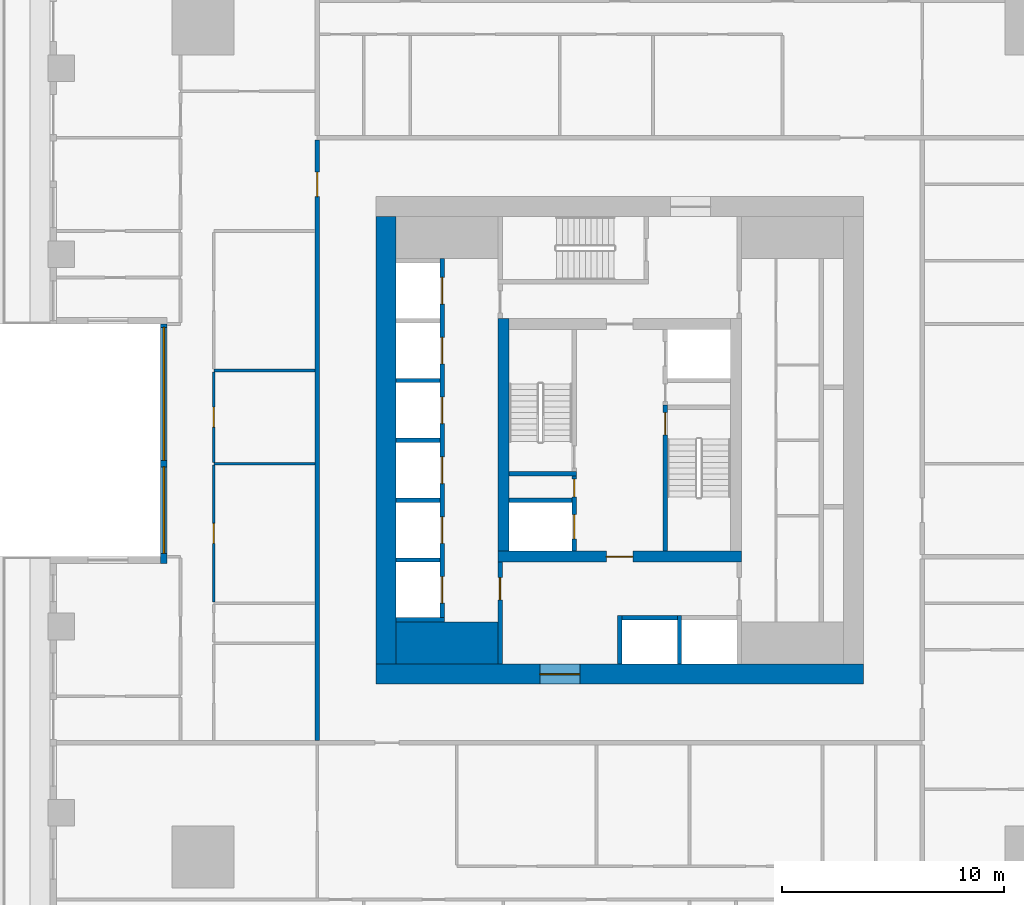
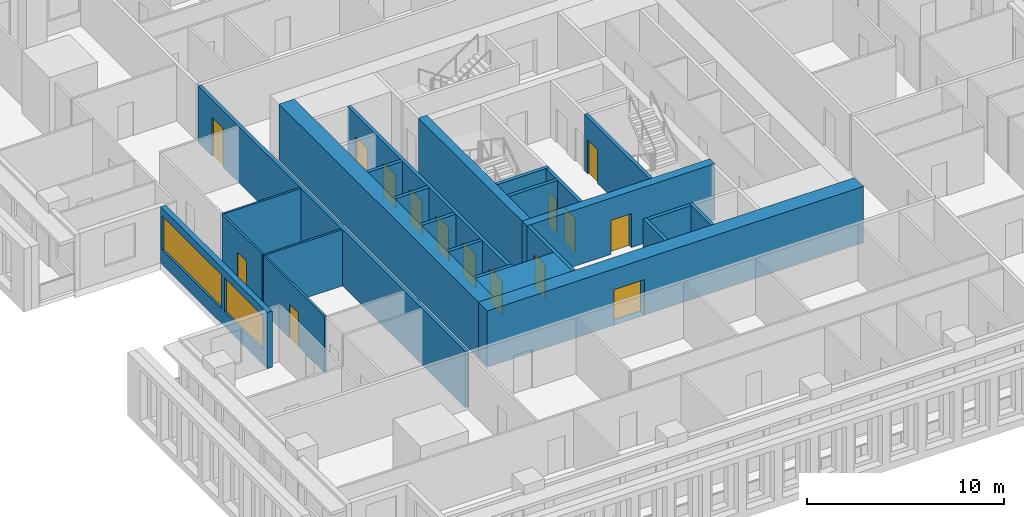
# One storey, part 3 of 14: 25 walls, 15 doors, 2 windows, 17 openings.
"""IFC4 building model written with IfcOpenShell, lengths in metres."""

from ifc_helpers import new_model, si_unit, direction, frame, frame_2d, origin, place, context, subcontext, project, spatial, rectangle, extrude, material, layer, layer_set, type_object, element, fill, save


model = new_model("IFC4")

# Units and contexts
model_context = context("Model", 3, precision=1e-05, world=origin(), true_north=direction((0.0, 1.0)))
body_context = subcontext(model_context, "Body", "Model", "MODEL_VIEW")
ifc_project = project(units=[si_unit("LENGTHUNIT", "METRE"), si_unit("AREAUNIT", "SQUARE_METRE"), si_unit("VOLUMEUNIT", "CUBIC_METRE"), si_unit("PLANEANGLEUNIT", "RADIAN"), si_unit("MASSUNIT", "GRAM", prefix="KILO")], contexts=[model_context])

# Site, building, storey
site_placement = place(None, origin())
site = spatial("IfcSite", under=ifc_project, at=site_placement, CompositionType="ELEMENT")
building_placement = place(site_placement, origin())
building = spatial("IfcBuilding", under=site, at=building_placement, Name="Khepri Terraces", CompositionType="ELEMENT")
storey_placement = place(building_placement, frame((0.0, 0.0, 90.89990234375)))
storey = spatial("IfcBuildingStorey", under=building, at=storey_placement, Name="L21", CompositionType="ELEMENT", Elevation=90.89990234375)

# Wall
ifc_material_1 = material(Name="Concrete C70/85", Category="concrete")
ifc_layer_1 = layer(ifc_material_1, 1.89990234375, Name="Concrete C70/85", Category="concrete")
ifc_layer_set_1 = layer_set([ifc_layer_1], Name="Concrete C70/85")
wall_type_1 = type_object("IfcWallType", Name="Core wall 1900 C70/85", PredefinedType="SHEAR", material=ifc_layer_set_1)
wall_1_placement = place(storey_placement, frame((-10.10009765625, -9.14990234375, 0.0), z_axis=(0.0, 0.0, 1.0), x_axis=(1.0, 0.0, 0.0)))
element("IfcWall", 1, at=wall_1_placement, inside=storey, type_object=wall_type_1, Name="Core wall PR01 L21", PredefinedType="SHEAR", context=body_context, shape_type="SweptSolid", body=[
    extrude(rectangle(XDim=4.60009765625, YDim=1.89990234375, at=frame_2d((2.300048828125, 0.0))), origin(), (0.0, 0.0, 1.0), 3.47998046875),
])

# Wall, opening, door
ifc_layer_2 = layer(ifc_material_1, 0.199951171875, Name="Concrete C70/85", Category="concrete")
ifc_layer_set_2 = layer_set([ifc_layer_2], Name="Concrete C70/85")
wall_type_2 = type_object("IfcWallType", Name="Core wall 200 C70/85", PredefinedType="SHEAR", material=ifc_layer_set_2)
wall_2_placement = place(storey_placement, frame((2.050048828125, -5.0, 0.0), z_axis=(0.0, 0.0, 1.0), x_axis=(0.0, 1.0, 0.0)))
wall_2 = element("IfcWall", 2, at=wall_2_placement, inside=storey, type_object=wall_type_2, Name="Core wall ST01 L21", PredefinedType="SHEAR", context=body_context, shape_type="SweptSolid", body=[
    extrude(rectangle(XDim=6.60009765625, YDim=0.199951171875, at=frame_2d((3.300048828125, 0.0))), origin(), (0.0, 0.0, 1.0), 3.47998046875),
])
opening_1_placement = place(wall_2_placement, frame((5.25, 0.0, 0.0)))
opening_1 = element("IfcOpeningElement", 3, at=opening_1_placement, cuts=wall_2, Name="Opening L21-C10", PredefinedType="OPENING", context=body_context, shape_type="SweptSolid", body=[
    extrude(rectangle(XDim=1.0, YDim=2.10009765625, at=frame_2d((0.5, 1.050048828125))), frame((0.0, 0.10986328125, 0.0), z_axis=(0.0, -1.0, 0.0), x_axis=(1.0, 0.0, 0.0)), (0.0, 0.0, 1.0), 0.219970703125),
])
ifc_material_2 = material(Name="Painted steel", Category="steel")
door_type_1 = type_object("IfcDoorType", Name="DR-CORE-STAIR-1000", OperationType="NOTDEFINED", PredefinedType="DOOR", material=ifc_material_2)
door_1_placement = place(opening_1_placement, frame((1.0, 0.0, 0.0), z_axis=(0.0, 0.0, 1.0), x_axis=(-1.0, 0.0, 0.0)))
door_1 = element("IfcDoor", 4, at=door_1_placement, inside=storey, type_object=door_type_1, Name="Stair door L21-C10", OperationType="SINGLE_SWING_LEFT", OverallHeight=2.10009765625, OverallWidth=1.0, PredefinedType="DOOR", context=body_context, shape_type="SweptSolid", body=[
    extrude(rectangle(XDim=1.0, YDim=2.10009765625, at=frame_2d((0.5, 1.050048828125))), frame((0.0, 0.02490234375, 0.0), z_axis=(0.0, -1.0, 0.0), x_axis=(1.0, 0.0, 0.0)), (0.0, 0.0, 1.0), 0.050048828125),
])
fill(opening_1, door_1)

# Walls
wall_3_placement = place(storey_placement, frame((-5.0, -1.5, 0.0), z_axis=(0.0, 0.0, 1.0), x_axis=(1.0, 0.0, 0.0)))
element("IfcWall", 5, at=wall_3_placement, inside=storey, type_object=wall_type_2, Name="Core wall ST02 L21", PredefinedType="SHEAR", context=body_context, shape_type="SweptSolid", body=[
    extrude(rectangle(XDim=3.050048828125, YDim=0.199951171875, at=frame_2d((1.52490234375, 0.0))), origin(), (0.0, 0.0, 1.0), 3.47998046875),
])
for number, where, z_axis, x_axis, name in (
    (6, (0.0, -10.10009765625, 0.0), (0.0, 0.0, 1.0), (0.0, 1.0, 0.0), "Core wall SH01 L21"),
    (7, (2.699951171875, -10.10009765625, 0.0), (0.0, 0.0, 1.0), (0.0, 1.0, 0.0), "Core wall SH02 L21"),
    (8, (-10.10009765625, -8.10009765625, 0.0), (0.0, 0.0, 1.0), (1.0, 0.0, 0.0), "Core wall SH04 L21"),
):
    element("IfcWall", number, at=place(storey_placement, frame(where, z_axis=z_axis, x_axis=x_axis)), inside=storey, type_object=wall_type_2, Name=name, PredefinedType="SHEAR", context=body_context, shape_type="SweptSolid", body=[
        extrude(rectangle(XDim=2.2001953125, YDim=0.199951171875, at=frame_2d((1.10009765625, 0.0))), origin(), (0.0, 0.0, 1.0), 3.47998046875),
    ])
wall_4_placement = place(storey_placement, frame((0.10009765625, -8.0, 0.0), z_axis=(0.0, 0.0, 1.0), x_axis=(1.0, 0.0, 0.0)))
element("IfcWall", 9, at=wall_4_placement, inside=storey, type_object=wall_type_2, Name="Core wall SH06 L21", PredefinedType="SHEAR", context=body_context, shape_type="SweptSolid", body=[
    extrude(rectangle(XDim=2.5, YDim=0.199951171875, at=frame_2d((1.25, 0.0))), origin(), (0.0, 0.0, 1.0), 3.47998046875),
])

# Wall, openings, doors
wall_5_placement = place(storey_placement, frame((-8.0, -8.0, 0.0), z_axis=(0.0, 0.0, 1.0), x_axis=(0.0, 1.0, 0.0)))
wall_5 = element("IfcWall", 10, at=wall_5_placement, inside=storey, type_object=wall_type_2, Name="Core wall SH08 L21", PredefinedType="SHEAR", context=body_context, shape_type="SweptSolid", body=[
    extrude(rectangle(XDim=16.199951171875, YDim=0.199951171875, at=frame_2d((8.10009765625, 0.0))), origin(), (0.0, 0.0, 1.0), 3.47998046875),
])
opening_2_placement = place(wall_5_placement, frame((0.64990234375, 0.0, 0.0)))
opening_2 = element("IfcOpeningElement", 11, at=opening_2_placement, cuts=wall_5, Name="Opening L21-C01", PredefinedType="OPENING", context=body_context, shape_type="SweptSolid", body=[
    extrude(rectangle(XDim=1.199951171875, YDim=2.10009765625, at=frame_2d((0.60009765625, 1.050048828125))), frame((0.0, 0.10986328125, 0.0), z_axis=(0.0, -1.0, 0.0), x_axis=(1.0, 0.0, 0.0)), (0.0, 0.0, 1.0), 0.219970703125),
])
opening_3_placement = place(wall_5_placement, frame((3.35009765625, 0.0, 0.0)))
opening_3 = element("IfcOpeningElement", 12, at=opening_3_placement, cuts=wall_5, Name="Opening L21-C02", PredefinedType="OPENING", context=body_context, shape_type="SweptSolid", body=[
    extrude(rectangle(XDim=1.199951171875, YDim=2.10009765625, at=frame_2d((0.60009765625, 1.050048828125))), frame((0.0, 0.10986328125, 0.0), z_axis=(0.0, -1.0, 0.0), x_axis=(1.0, 0.0, 0.0)), (0.0, 0.0, 1.0), 0.219970703125),
])
opening_4_placement = place(wall_5_placement, frame((6.050048828125, 0.0, 0.0)))
opening_4 = element("IfcOpeningElement", 13, at=opening_4_placement, cuts=wall_5, Name="Opening L21-C03", PredefinedType="OPENING", context=body_context, shape_type="SweptSolid", body=[
    extrude(rectangle(XDim=1.199951171875, YDim=2.10009765625, at=frame_2d((0.60009765625, 1.050048828125))), frame((0.0, 0.10986328125, 0.0), z_axis=(0.0, -1.0, 0.0), x_axis=(1.0, 0.0, 0.0)), (0.0, 0.0, 1.0), 0.219970703125),
])
opening_5_placement = place(wall_5_placement, frame((8.75, 0.0, 0.0)))
opening_5 = element("IfcOpeningElement", 14, at=opening_5_placement, cuts=wall_5, Name="Opening L21-C04", PredefinedType="OPENING", context=body_context, shape_type="SweptSolid", body=[
    extrude(rectangle(XDim=1.199951171875, YDim=2.10009765625, at=frame_2d((0.60009765625, 1.050048828125))), frame((0.0, 0.10986328125, 0.0), z_axis=(0.0, -1.0, 0.0), x_axis=(1.0, 0.0, 0.0)), (0.0, 0.0, 1.0), 0.219970703125),
])
opening_6_placement = place(wall_5_placement, frame((11.449951171875, 0.0, 0.0)))
opening_6 = element("IfcOpeningElement", 15, at=opening_6_placement, cuts=wall_5, Name="Opening L21-C05", PredefinedType="OPENING", context=body_context, shape_type="SweptSolid", body=[
    extrude(rectangle(XDim=1.199951171875, YDim=2.10009765625, at=frame_2d((0.60009765625, 1.050048828125))), frame((0.0, 0.10986328125, 0.0), z_axis=(0.0, -1.0, 0.0), x_axis=(1.0, 0.0, 0.0)), (0.0, 0.0, 1.0), 0.219970703125),
])
opening_7_placement = place(wall_5_placement, frame((14.14990234375, 0.0, 0.0)))
opening_7 = element("IfcOpeningElement", 16, at=opening_7_placement, cuts=wall_5, Name="Opening L21-C06", PredefinedType="OPENING", context=body_context, shape_type="SweptSolid", body=[
    extrude(rectangle(XDim=1.199951171875, YDim=2.10009765625, at=frame_2d((0.60009765625, 1.050048828125))), frame((0.0, 0.10986328125, 0.0), z_axis=(0.0, -1.0, 0.0), x_axis=(1.0, 0.0, 0.0)), (0.0, 0.0, 1.0), 0.219970703125),
])
ifc_material_3 = material(Name="Stainless steel 304", Category="steel")
door_type_2 = type_object("IfcDoorType", Name="DR-CORE-LANDING-1200", OperationType="NOTDEFINED", PredefinedType="DOOR", material=ifc_material_3)
door_2_placement = place(opening_2_placement, origin())
door_2 = element("IfcDoor", 17, at=door_2_placement, inside=storey, type_object=door_type_2, Name="Lift landing door L21-C01", OperationType="SLIDING_TO_LEFT", OverallHeight=2.10009765625, OverallWidth=1.199951171875, PredefinedType="DOOR", context=body_context, shape_type="SweptSolid", body=[
    extrude(rectangle(XDim=1.199951171875, YDim=2.10009765625, at=frame_2d((0.60009765625, 1.050048828125))), frame((0.0, 0.02490234375, 0.0), z_axis=(0.0, -1.0, 0.0), x_axis=(1.0, 0.0, 0.0)), (0.0, 0.0, 1.0), 0.050048828125),
])
fill(opening_2, door_2)
door_3_placement = place(opening_3_placement, origin())
door_3 = element("IfcDoor", 18, at=door_3_placement, inside=storey, type_object=door_type_2, Name="Lift landing door L21-C02", OperationType="SLIDING_TO_LEFT", OverallHeight=2.10009765625, OverallWidth=1.199951171875, PredefinedType="DOOR", context=body_context, shape_type="SweptSolid", body=[
    extrude(rectangle(XDim=1.199951171875, YDim=2.10009765625, at=frame_2d((0.60009765625, 1.050048828125))), frame((0.0, 0.02490234375, 0.0), z_axis=(0.0, -1.0, 0.0), x_axis=(1.0, 0.0, 0.0)), (0.0, 0.0, 1.0), 0.050048828125),
])
fill(opening_3, door_3)
door_4_placement = place(opening_4_placement, origin())
door_4 = element("IfcDoor", 19, at=door_4_placement, inside=storey, type_object=door_type_2, Name="Lift landing door L21-C03", OperationType="SLIDING_TO_LEFT", OverallHeight=2.10009765625, OverallWidth=1.199951171875, PredefinedType="DOOR", context=body_context, shape_type="SweptSolid", body=[
    extrude(rectangle(XDim=1.199951171875, YDim=2.10009765625, at=frame_2d((0.60009765625, 1.050048828125))), frame((0.0, 0.02490234375, 0.0), z_axis=(0.0, -1.0, 0.0), x_axis=(1.0, 0.0, 0.0)), (0.0, 0.0, 1.0), 0.050048828125),
])
fill(opening_4, door_4)
door_5_placement = place(opening_5_placement, origin())
door_5 = element("IfcDoor", 20, at=door_5_placement, inside=storey, type_object=door_type_2, Name="Lift landing door L21-C04", OperationType="SLIDING_TO_LEFT", OverallHeight=2.10009765625, OverallWidth=1.199951171875, PredefinedType="DOOR", context=body_context, shape_type="SweptSolid", body=[
    extrude(rectangle(XDim=1.199951171875, YDim=2.10009765625, at=frame_2d((0.60009765625, 1.050048828125))), frame((0.0, 0.02490234375, 0.0), z_axis=(0.0, -1.0, 0.0), x_axis=(1.0, 0.0, 0.0)), (0.0, 0.0, 1.0), 0.050048828125),
])
fill(opening_5, door_5)
door_6_placement = place(opening_6_placement, origin())
door_6 = element("IfcDoor", 21, at=door_6_placement, inside=storey, type_object=door_type_2, Name="Lift landing door L21-C05", OperationType="SLIDING_TO_LEFT", OverallHeight=2.10009765625, OverallWidth=1.199951171875, PredefinedType="DOOR", context=body_context, shape_type="SweptSolid", body=[
    extrude(rectangle(XDim=1.199951171875, YDim=2.10009765625, at=frame_2d((0.60009765625, 1.050048828125))), frame((0.0, 0.02490234375, 0.0), z_axis=(0.0, -1.0, 0.0), x_axis=(1.0, 0.0, 0.0)), (0.0, 0.0, 1.0), 0.050048828125),
])
fill(opening_6, door_6)
door_7_placement = place(opening_7_placement, origin())
door_7 = element("IfcDoor", 22, at=door_7_placement, inside=storey, type_object=door_type_2, Name="Lift landing door L21-C06", OperationType="SLIDING_TO_LEFT", OverallHeight=2.10009765625, OverallWidth=1.199951171875, PredefinedType="DOOR", context=body_context, shape_type="SweptSolid", body=[
    extrude(rectangle(XDim=1.199951171875, YDim=2.10009765625, at=frame_2d((0.60009765625, 1.050048828125))), frame((0.0, 0.02490234375, 0.0), z_axis=(0.0, -1.0, 0.0), x_axis=(1.0, 0.0, 0.0)), (0.0, 0.0, 1.0), 0.050048828125),
])
fill(opening_7, door_7)

# Wall
wall_6_placement = place(storey_placement, frame((-10.10009765625, -5.39990234375, 0.0), z_axis=(0.0, 0.0, 1.0), x_axis=(1.0, 0.0, 0.0)))
element("IfcWall", 23, at=wall_6_placement, inside=storey, type_object=wall_type_2, Name="Core wall SH09 L21", PredefinedType="SHEAR", context=body_context, shape_type="SweptSolid", body=[
    extrude(rectangle(XDim=2.0, YDim=0.199951171875, at=frame_2d((1.0, 0.0))), origin(), (0.0, 0.0, 1.0), 3.47998046875),
])

# Wall, openings, doors
wall_7_placement = place(storey_placement, frame((-2.050048828125, -5.0, 0.0), z_axis=(0.0, 0.0, 1.0), x_axis=(0.0, 1.0, 0.0)))
wall_7 = element("IfcWall", 24, at=wall_7_placement, inside=storey, type_object=wall_type_2, Name="Core wall SH10 L21", PredefinedType="SHEAR", context=body_context, shape_type="SweptSolid", body=[
    extrude(rectangle(XDim=3.39990234375, YDim=0.199951171875, at=frame_2d((1.699951171875, 0.0))), origin(), (0.0, 0.0, 1.0), 3.47998046875),
])
opening_8_placement = place(wall_7_placement, frame((0.550048828125, 0.0, 0.0)))
opening_8 = element("IfcOpeningElement", 25, at=opening_8_placement, cuts=wall_7, Name="Opening L21-C08", PredefinedType="OPENING", context=body_context, shape_type="SweptSolid", body=[
    extrude(rectangle(XDim=1.10009765625, YDim=2.10009765625, at=frame_2d((0.550048828125, 1.050048828125))), frame((0.0, 0.10986328125, 0.0), z_axis=(0.0, -1.0, 0.0), x_axis=(1.0, 0.0, 0.0)), (0.0, 0.0, 1.0), 0.219970703125),
])
opening_9_placement = place(wall_7_placement, frame((2.449951171875, 0.0, 0.0)))
opening_9 = element("IfcOpeningElement", 26, at=opening_9_placement, cuts=wall_7, Name="Opening L21-C12", PredefinedType="OPENING", context=body_context, shape_type="SweptSolid", body=[
    extrude(rectangle(XDim=0.800048828125, YDim=2.10009765625, at=frame_2d((0.39990234375, 1.050048828125))), frame((0.0, 0.10986328125, 0.0), z_axis=(0.0, -1.0, 0.0), x_axis=(1.0, 0.0, 0.0)), (0.0, 0.0, 1.0), 0.219970703125),
])
door_type_3 = type_object("IfcDoorType", Name="DR-CORE-FF-LANDING-1100", OperationType="NOTDEFINED", PredefinedType="DOOR", material=ifc_material_3)
door_8_placement = place(opening_8_placement, origin())
door_8 = element("IfcDoor", 27, at=door_8_placement, inside=storey, type_object=door_type_3, Name="Firefighting lift landing door L21-C08", OperationType="SLIDING_TO_LEFT", OverallHeight=2.10009765625, OverallWidth=1.10009765625, PredefinedType="DOOR", context=body_context, shape_type="SweptSolid", body=[
    extrude(rectangle(XDim=1.10009765625, YDim=2.10009765625, at=frame_2d((0.550048828125, 1.050048828125))), frame((0.0, 0.02490234375, 0.0), z_axis=(0.0, -1.0, 0.0), x_axis=(1.0, 0.0, 0.0)), (0.0, 0.0, 1.0), 0.050048828125),
])
fill(opening_8, door_8)
door_type_4 = type_object("IfcDoorType", Name="DR-CORE-RISER-800", OperationType="NOTDEFINED", PredefinedType="DOOR", material=ifc_material_2)
door_9_placement = place(opening_9_placement, origin())
door_9 = element("IfcDoor", 28, at=door_9_placement, inside=storey, type_object=door_type_4, Name="Riser door L21-C12", OperationType="SINGLE_SWING_RIGHT", OverallHeight=2.10009765625, OverallWidth=0.800048828125, PredefinedType="DOOR", context=body_context, shape_type="SweptSolid", body=[
    extrude(rectangle(XDim=0.800048828125, YDim=2.10009765625, at=frame_2d((0.39990234375, 1.050048828125))), frame((0.0, 0.02490234375, 0.0), z_axis=(0.0, -1.0, 0.0), x_axis=(1.0, 0.0, 0.0)), (0.0, 0.0, 1.0), 0.050048828125),
])
fill(opening_9, door_9)

# Walls
wall_8_placement = place(storey_placement, frame((-10.10009765625, -2.699951171875, 0.0), z_axis=(0.0, 0.0, 1.0), x_axis=(1.0, 0.0, 0.0)))
element("IfcWall", 29, at=wall_8_placement, inside=storey, type_object=wall_type_2, Name="Core wall SH12 L21", PredefinedType="SHEAR", context=body_context, shape_type="SweptSolid", body=[
    extrude(rectangle(XDim=2.0, YDim=0.199951171875, at=frame_2d((1.0, 0.0))), origin(), (0.0, 0.0, 1.0), 3.47998046875),
])
wall_9_placement = place(storey_placement, frame((-5.0, -2.699951171875, 0.0), z_axis=(0.0, 0.0, 1.0), x_axis=(1.0, 0.0, 0.0)))
element("IfcWall", 30, at=wall_9_placement, inside=storey, type_object=wall_type_2, Name="Core wall SH13 L21", PredefinedType="SHEAR", context=body_context, shape_type="SweptSolid", body=[
    extrude(rectangle(XDim=2.85009765625, YDim=0.199951171875, at=frame_2d((1.425048828125, 0.0))), origin(), (0.0, 0.0, 1.0), 3.47998046875),
])
for number, where, z_axis, x_axis, name in (
    (31, (-10.10009765625, 0.0, 0.0), (0.0, 0.0, 1.0), (1.0, 0.0, 0.0), "Core wall SH14 L21"),
    (32, (-10.10009765625, 2.699951171875, 0.0), (0.0, 0.0, 1.0), (1.0, 0.0, 0.0), "Core wall SH17 L21"),
):
    element("IfcWall", number, at=place(storey_placement, frame(where, z_axis=z_axis, x_axis=x_axis)), inside=storey, type_object=wall_type_2, Name=name, PredefinedType="SHEAR", context=body_context, shape_type="SweptSolid", body=[
        extrude(rectangle(XDim=2.0, YDim=0.199951171875, at=frame_2d((1.0, 0.0))), origin(), (0.0, 0.0, 1.0), 3.47998046875),
    ])

# Wall, opening, door
ifc_layer_3 = layer(ifc_material_1, 0.5, Name="Concrete C70/85", Category="concrete")
ifc_layer_set_3 = layer_set([ifc_layer_3], Name="Concrete C70/85")
wall_type_3 = type_object("IfcWallType", Name="Core wall 500 C70/85", PredefinedType="SHEAR", material=ifc_layer_set_3)
wall_10_placement = place(storey_placement, frame((-5.5, -5.25, 0.0), z_axis=(0.0, 0.0, 1.0), x_axis=(1.0, 0.0, 0.0)))
wall_10 = element("IfcWall", 33, at=wall_10_placement, inside=storey, type_object=wall_type_3, Name="Core wall BX01 L21", PredefinedType="SHEAR", context=body_context, shape_type="SweptSolid", body=[
    extrude(rectangle(XDim=11.0, YDim=0.5, at=frame_2d((5.5, 0.0))), origin(), (0.0, 0.0, 1.0), 3.47998046875),
])
opening_10_placement = place(wall_10_placement, frame((4.89990234375, 0.0, 0.0)))
opening_10 = element("IfcOpeningElement", 34, at=opening_10_placement, cuts=wall_10, Name="Opening L21-C14", PredefinedType="OPENING", context=body_context, shape_type="SweptSolid", body=[
    extrude(rectangle(XDim=1.199951171875, YDim=2.10009765625, at=frame_2d((0.60009765625, 1.050048828125))), frame((0.0, 0.260009765625, 0.0), z_axis=(0.0, -1.0, 0.0), x_axis=(1.0, 0.0, 0.0)), (0.0, 0.0, 1.0), 0.52001953125),
])
door_type_5 = type_object("IfcDoorType", Name="DR-CORE-FF-LOBBY-1200", OperationType="NOTDEFINED", PredefinedType="DOOR", material=ifc_material_2)
door_10_placement = place(opening_10_placement, origin())
door_10 = element("IfcDoor", 35, at=door_10_placement, inside=storey, type_object=door_type_5, Name="Firefighting lobby door L21-C14", OperationType="SINGLE_SWING_RIGHT", OverallHeight=2.10009765625, OverallWidth=1.199951171875, PredefinedType="DOOR", context=body_context, shape_type="SweptSolid", body=[
    extrude(rectangle(XDim=1.199951171875, YDim=2.10009765625, at=frame_2d((0.60009765625, 1.050048828125))), frame((0.0, 0.02490234375, 0.0), z_axis=(0.0, -1.0, 0.0), x_axis=(1.0, 0.0, 0.0)), (0.0, 0.0, 1.0), 0.050048828125),
])
fill(opening_10, door_10)

# Wall
wall_11_placement = place(storey_placement, frame((-5.25, -5.0, 0.0), z_axis=(0.0, 0.0, 1.0), x_axis=(0.0, 1.0, 0.0)))
element("IfcWall", 36, at=wall_11_placement, inside=storey, type_object=wall_type_3, Name="Core wall BX02 L21", PredefinedType="SHEAR", context=body_context, shape_type="SweptSolid", body=[
    extrude(rectangle(XDim=10.5, YDim=0.5, at=frame_2d((5.25, 0.0))), origin(), (0.0, 0.0, 1.0), 3.47998046875),
])

# Wall, opening, door
ifc_layer_4 = layer(ifc_material_1, 0.89990234375, Name="Concrete C70/85", Category="concrete")
ifc_layer_set_4 = layer_set([ifc_layer_4], Name="Concrete C70/85")
wall_type_4 = type_object("IfcWallType", Name="Core wall 900 C70/85", PredefinedType="SHEAR", material=ifc_layer_set_4)
wall_12_placement = place(storey_placement, frame((-11.0, -10.550048828125, 0.0), z_axis=(0.0, 0.0, 1.0), x_axis=(1.0, 0.0, 0.0)))
wall_12 = element("IfcWall", 37, at=wall_12_placement, inside=storey, type_object=wall_type_4, Name="Core wall OW-S L21", PredefinedType="SHEAR", context=body_context, shape_type="SweptSolid", body=[
    extrude(rectangle(XDim=22.0, YDim=0.89990234375, at=frame_2d((11.0, 0.0))), origin(), (0.0, 0.0, 1.0), 3.47998046875),
])
opening_11_placement = place(wall_12_placement, frame((7.39990234375, 0.0, 0.0)))
opening_11 = element("IfcOpeningElement", 38, at=opening_11_placement, cuts=wall_12, Name="Opening L21-C21", PredefinedType="OPENING", context=body_context, shape_type="SweptSolid", body=[
    extrude(rectangle(XDim=1.800048828125, YDim=2.199951171875, at=frame_2d((0.89990234375, 1.10009765625))), frame((0.0, 0.4599609375, 0.0), z_axis=(0.0, -1.0, 0.0), x_axis=(1.0, 0.0, 0.0)), (0.0, 0.0, 1.0), 0.919921875),
])
door_type_6 = type_object("IfcDoorType", Name="DR-CORE-ENTRANCE-1800", OperationType="NOTDEFINED", PredefinedType="DOOR", material=ifc_material_2)
door_11_placement = place(opening_11_placement, frame((1.800048828125, 0.0, 0.0), z_axis=(0.0, 0.0, 1.0), x_axis=(-1.0, 0.0, 0.0)))
door_11 = element("IfcDoor", 39, at=door_11_placement, inside=storey, type_object=door_type_6, Name="Core entrance door pair L21-C21", OperationType="DOUBLE_DOOR_SINGLE_SWING", OverallHeight=2.199951171875, OverallWidth=1.800048828125, PredefinedType="DOOR", context=body_context, shape_type="SweptSolid", body=[
    extrude(rectangle(XDim=1.800048828125, YDim=2.199951171875, at=frame_2d((0.89990234375, 1.10009765625))), frame((0.0, 0.02490234375, 0.0), z_axis=(0.0, -1.0, 0.0), x_axis=(1.0, 0.0, 0.0)), (0.0, 0.0, 1.0), 0.050048828125),
])
fill(opening_11, door_11)

# Wall
wall_13_placement = place(storey_placement, frame((-10.550048828125, -10.10009765625, 0.0), z_axis=(0.0, 0.0, 1.0), x_axis=(0.0, 1.0, 0.0)))
element("IfcWall", 40, at=wall_13_placement, inside=storey, type_object=wall_type_4, Name="Core wall OW-W L21", PredefinedType="SHEAR", context=body_context, shape_type="SweptSolid", body=[
    extrude(rectangle(XDim=20.2001953125, YDim=0.89990234375, at=frame_2d((10.10009765625, 0.0))), origin(), (0.0, 0.0, 1.0), 3.47998046875),
])

# Wall, opening, door
ifc_material_4 = material(Name="Fire-rated gypsum board partition")
ifc_layer_5 = layer(ifc_material_4, 0.199951171875, Name="Fire-rated gypsum board partition")
ifc_layer_set_5 = layer_set([ifc_layer_5], Name="Fire-rated gypsum board partition")
wall_type_5 = type_object("IfcWallType", Name="WL-CORE-PART-200", PredefinedType="PARTITIONING", material=ifc_layer_set_5)
wall_14_placement = place(storey_placement, frame((-5.39990234375, -10.10009765625, 0.0), z_axis=(0.0, 0.0, 1.0), x_axis=(0.0, 1.0, 0.0)))
wall_14 = element("IfcWall", 41, at=wall_14_placement, inside=storey, type_object=wall_type_5, Name="Core partition PT01 L21", PredefinedType="PARTITIONING", context=body_context, shape_type="SweptSolid", body=[
    extrude(rectangle(XDim=4.60009765625, YDim=0.199951171875, at=frame_2d((2.300048828125, 0.0))), origin(), (0.0, 0.0, 1.0), 3.47998046875),
])
opening_12_placement = place(wall_14_placement, frame((2.89990234375, 0.0, 0.0)))
opening_12 = element("IfcOpeningElement", 42, at=opening_12_placement, cuts=wall_14, Name="Opening L21-C18", PredefinedType="OPENING", context=body_context, shape_type="SweptSolid", body=[
    extrude(rectangle(XDim=1.0, YDim=2.10009765625, at=frame_2d((0.5, 1.050048828125))), frame((0.0, 0.10986328125, 0.0), z_axis=(0.0, -1.0, 0.0), x_axis=(1.0, 0.0, 0.0)), (0.0, 0.0, 1.0), 0.219970703125),
])
door_type_7 = type_object("IfcDoorType", Name="DR-CORE-LOBBY-1000", OperationType="NOTDEFINED", PredefinedType="DOOR", material=ifc_material_2)
door_12_placement = place(opening_12_placement, frame((1.0, 0.0, 0.0), z_axis=(0.0, 0.0, 1.0), x_axis=(-1.0, 0.0, 0.0)))
door_12 = element("IfcDoor", 43, at=door_12_placement, inside=storey, type_object=door_type_7, Name="Lobby door L21-C18", OperationType="SINGLE_SWING_LEFT", OverallHeight=2.10009765625, OverallWidth=1.0, PredefinedType="DOOR", context=body_context, shape_type="SweptSolid", body=[
    extrude(rectangle(XDim=1.0, YDim=2.10009765625, at=frame_2d((0.5, 1.050048828125))), frame((0.0, 0.02490234375, 0.0), z_axis=(0.0, -1.0, 0.0), x_axis=(1.0, 0.0, 0.0)), (0.0, 0.0, 1.0), 0.050048828125),
])
fill(opening_12, door_12)

ifc_material_5 = material(Name="Fire-rated gypsum plasterboard partition, mineral wool")
ifc_layer_6 = layer(ifc_material_5, 0.199951171875, Name="Fire-rated gypsum plasterboard partition, mineral wool")
ifc_layer_set_6 = layer_set([ifc_layer_6], Name="Fire-rated gypsum plasterboard partition, mineral wool")
wall_type_6 = type_object("IfcWallType", Name="WL-CORR-200", PredefinedType="PARTITIONING", material=ifc_layer_set_6)
wall_15_placement = place(storey_placement, frame((-13.64990234375, -13.550048828125, 0.0), z_axis=(0.0, 0.0, 1.0), x_axis=(0.0, 1.0, 0.0)))
wall_15 = element("IfcWall", 44, at=wall_15_placement, inside=storey, type_object=wall_type_6, Name="Partition P-024 L21", PredefinedType="PARTITIONING", context=body_context, shape_type="SweptSolid", body=[
    extrude(rectangle(XDim=27.10009765625, YDim=0.199951171875, at=frame_2d((13.550048828125, 0.0))), origin(), (0.0, 0.0, 1.0), 3.47998046875),
])
opening_13_placement = place(wall_15_placement, frame((24.550048828125, 0.0, 0.0)))
opening_13 = element("IfcOpeningElement", 45, at=opening_13_placement, cuts=wall_15, Name="Opening D1", PredefinedType="OPENING", context=body_context, shape_type="SweptSolid", body=[
    extrude(rectangle(XDim=1.10009765625, YDim=2.39990234375, at=frame_2d((0.550048828125, 1.199951171875))), frame((0.0, 0.10986328125, 0.0), z_axis=(0.0, -1.0, 0.0), x_axis=(1.0, 0.0, 0.0)), (0.0, 0.0, 1.0), 0.219970703125),
])
ifc_material_6 = material(Name="Solid-core timber door leaf, flat entrance door", Category="wood")
door_type_8 = type_object("IfcDoorType", Name="DR-ENT-1100", OperationType="NOTDEFINED", PredefinedType="DOOR", material=ifc_material_6)
door_13_placement = place(opening_13_placement, origin())
door_13 = element("IfcDoor", 46, at=door_13_placement, inside=storey, type_object=door_type_8, Name="Flat D1 entrance door", OperationType="SINGLE_SWING_RIGHT", OverallHeight=2.39990234375, OverallWidth=1.10009765625, PredefinedType="DOOR", context=body_context, shape_type="SweptSolid", body=[
    extrude(rectangle(XDim=1.10009765625, YDim=2.39990234375, at=frame_2d((0.550048828125, 1.199951171875))), frame((0.0, 0.02490234375, 0.0), z_axis=(0.0, -1.0, 0.0), x_axis=(1.0, 0.0, 0.0)), (0.0, 0.0, 1.0), 0.050048828125),
])
fill(opening_13, door_13)

# Wall, openings, windows
ifc_material_7 = material(Name="Precast concrete C50/60 warm stone", Category="masonry")
ifc_layer_7 = layer(ifc_material_7, 0.300048828125, Name="Precast concrete C50/60 warm stone", Category="masonry")
ifc_layer_set_7 = layer_set([ifc_layer_7], Name="Precast concrete C50/60 warm stone")
wall_type_7 = type_object("IfcWallType", Name="WL-EXT-PRECAST-300", PredefinedType="STANDARD", material=ifc_layer_set_7)
wall_16_placement = place(storey_placement, frame((-20.570068359375, 5.25, 0.0), z_axis=(0.0, 0.0, 1.0), x_axis=(0.0, -1.0, 0.0)))
wall_16 = element("IfcWall", 47, at=wall_16_placement, inside=storey, type_object=wall_type_7, Name="External wall L21 W", PredefinedType="STANDARD", context=body_context, shape_type="SweptSolid", body=[
    extrude(rectangle(XDim=10.800048828125, YDim=0.300048828125, at=frame_2d((5.39990234375, 0.0))), origin(), (0.0, 0.0, 1.0), 3.47998046875),
])
opening_14_placement = place(wall_16_placement, frame((0.14990234375, 0.0, 0.89990234375)))
opening_14 = element("IfcOpeningElement", 48, at=opening_14_placement, cuts=wall_16, Name="Opening W3", PredefinedType="OPENING", context=body_context, shape_type="SweptSolid", body=[
    extrude(rectangle(XDim=6.0, YDim=2.10009765625, at=frame_2d((3.0, 1.050048828125))), frame((0.0, 0.16015625, 0.0), z_axis=(0.0, -1.0, 0.0), x_axis=(1.0, 0.0, 0.0)), (0.0, 0.0, 1.0), 0.320068359375),
])
opening_15_placement = place(wall_16_placement, frame((6.449951171875, 0.0, 0.89990234375)))
opening_15 = element("IfcOpeningElement", 49, at=opening_15_placement, cuts=wall_16, Name="Opening W2", PredefinedType="OPENING", context=body_context, shape_type="SweptSolid", body=[
    extrude(rectangle(XDim=3.89990234375, YDim=2.10009765625, at=frame_2d((1.949951171875, 1.050048828125))), frame((0.0, 0.16015625, 0.0), z_axis=(0.0, -1.0, 0.0), x_axis=(1.0, 0.0, 0.0)), (0.0, 0.0, 1.0), 0.320068359375),
])
ifc_material_8 = material(Name="Clear glass", Category="glass")
window_type_1 = type_object("IfcWindowType", Name="WIN-RES-3900x2100", PartitioningType="SINGLE_PANEL", PredefinedType="WINDOW", material=ifc_material_8)
window_1_placement = place(opening_15_placement, origin())
window_1 = element("IfcWindow", 50, at=window_1_placement, inside=storey, type_object=window_type_1, Name="Window L21 W", OverallHeight=2.10009765625, OverallWidth=3.89990234375, PartitioningType="SINGLE_PANEL", PredefinedType="WINDOW", context=body_context, shape_type="SweptSolid", body=[
    extrude(rectangle(XDim=3.89990234375, YDim=2.10009765625, at=frame_2d((1.949951171875, 1.050048828125))), frame((0.0, 0.030029296875, 0.0), z_axis=(0.0, -1.0, 0.0), x_axis=(1.0, 0.0, 0.0)), (0.0, 0.0, 1.0), 0.06005859375),
])
fill(opening_15, window_1)
window_type_2 = type_object("IfcWindowType", Name="WIN-RES-6000x2100", PartitioningType="SINGLE_PANEL", PredefinedType="WINDOW", material=ifc_material_8)
window_2_placement = place(opening_14_placement, origin())
window_2 = element("IfcWindow", 51, at=window_2_placement, inside=storey, type_object=window_type_2, Name="Window L21 W", OverallHeight=2.10009765625, OverallWidth=6.0, PartitioningType="SINGLE_PANEL", PredefinedType="WINDOW", context=body_context, shape_type="SweptSolid", body=[
    extrude(rectangle(XDim=6.0, YDim=2.10009765625, at=frame_2d((3.0, 1.050048828125))), frame((0.0, 0.030029296875, 0.0), z_axis=(0.0, -1.0, 0.0), x_axis=(1.0, 0.0, 0.0)), (0.0, 0.0, 1.0), 0.06005859375),
])
fill(opening_14, window_2)

# Wall, opening, door
ifc_material_9 = material(Name="Gypsum plasterboard partition")
ifc_layer_8 = layer(ifc_material_9, 0.1201171875, Name="Gypsum plasterboard partition")
ifc_layer_set_8 = layer_set([ifc_layer_8], Name="Gypsum plasterboard partition")
wall_type_8 = type_object("IfcWallType", Name="WL-PART-120", PredefinedType="PARTITIONING", material=ifc_layer_set_8)
wall_17_placement = place(storey_placement, frame((-18.320068359375, -7.2900390625, 0.0), z_axis=(0.0, 0.0, 1.0), x_axis=(0.0, 1.0, 0.0)))
wall_17 = element("IfcWall", 52, at=wall_17_placement, inside=storey, type_object=wall_type_8, Name="Partition P-037 L21", PredefinedType="PARTITIONING", context=body_context, shape_type="SweptSolid", body=[
    extrude(rectangle(XDim=6.179931640625, YDim=0.1201171875, at=frame_2d((3.08984375, 0.0))), origin(), (0.0, 0.0, 1.0), 3.47998046875),
])
opening_16_placement = place(wall_17_placement, frame((2.639892578125, 0.0, 0.0)))
opening_16 = element("IfcOpeningElement", 53, at=opening_16_placement, cuts=wall_17, Name="Opening D3", PredefinedType="OPENING", context=body_context, shape_type="SweptSolid", body=[
    extrude(rectangle(XDim=0.89990234375, YDim=2.10009765625, at=frame_2d((0.449951171875, 1.050048828125))), frame((0.0, 0.070068359375, 0.0), z_axis=(0.0, -1.0, 0.0), x_axis=(1.0, 0.0, 0.0)), (0.0, 0.0, 1.0), 0.14013671875),
])
ifc_material_10 = material(Name="Timber door leaf", Category="wood")
door_type_9 = type_object("IfcDoorType", Name="DR-INT-900", OperationType="NOTDEFINED", PredefinedType="DOOR", material=ifc_material_10)
door_14_placement = place(opening_16_placement, frame((0.89990234375, 0.0, 0.0), z_axis=(0.0, 0.0, 1.0), x_axis=(-1.0, 0.0, 0.0)))
door_14 = element("IfcDoor", 54, at=door_14_placement, inside=storey, type_object=door_type_9, Name="Door Staff Bedroom", OperationType="SINGLE_SWING_LEFT", OverallHeight=2.10009765625, OverallWidth=0.89990234375, PredefinedType="DOOR", context=body_context, shape_type="SweptSolid", body=[
    extrude(rectangle(XDim=0.89990234375, YDim=2.10009765625, at=frame_2d((0.449951171875, 1.050048828125))), frame((0.0, 0.02490234375, 0.0), z_axis=(0.0, -1.0, 0.0), x_axis=(1.0, 0.0, 0.0)), (0.0, 0.0, 1.0), 0.050048828125),
])
fill(opening_16, door_14)

# Wall
wall_18_placement = place(storey_placement, frame((-18.320068359375, -1.050048828125, 0.0), z_axis=(0.0, 0.0, 1.0), x_axis=(1.0, 0.0, 0.0)))
element("IfcWall", 55, at=wall_18_placement, inside=storey, type_object=wall_type_8, Name="Partition P-044 L21", PredefinedType="PARTITIONING", context=body_context, shape_type="SweptSolid", body=[
    extrude(rectangle(XDim=4.570068359375, YDim=0.1201171875, at=frame_2d((2.28515625, 0.0))), origin(), (0.0, 0.0, 1.0), 3.47998046875),
])

# Wall, opening, door
wall_19_placement = place(storey_placement, frame((-18.320068359375, -0.989990234375, 0.0), z_axis=(0.0, 0.0, 1.0), x_axis=(0.0, 1.0, 0.0)))
wall_19 = element("IfcWall", 56, at=wall_19_placement, inside=storey, type_object=wall_type_8, Name="Partition P-047 L21", PredefinedType="PARTITIONING", context=body_context, shape_type="SweptSolid", body=[
    extrude(rectangle(XDim=4.080078125, YDim=0.1201171875, at=frame_2d((2.0400390625, 0.0))), origin(), (0.0, 0.0, 1.0), 3.47998046875),
])
opening_17_placement = place(wall_19_placement, frame((1.590087890625, 0.0, 0.0)))
opening_17 = element("IfcOpeningElement", 57, at=opening_17_placement, cuts=wall_19, Name="Opening D3", PredefinedType="OPENING", context=body_context, shape_type="SweptSolid", body=[
    extrude(rectangle(XDim=0.89990234375, YDim=2.10009765625, at=frame_2d((0.449951171875, 1.050048828125))), frame((0.0, 0.070068359375, 0.0), z_axis=(0.0, -1.0, 0.0), x_axis=(1.0, 0.0, 0.0)), (0.0, 0.0, 1.0), 0.14013671875),
])
door_15_placement = place(opening_17_placement, frame((0.89990234375, 0.0, 0.0), z_axis=(0.0, 0.0, 1.0), x_axis=(-1.0, 0.0, 0.0)))
door_15 = element("IfcDoor", 58, at=door_15_placement, inside=storey, type_object=door_type_9, Name="Door Service Store", OperationType="SINGLE_SWING_LEFT", OverallHeight=2.10009765625, OverallWidth=0.89990234375, PredefinedType="DOOR", context=body_context, shape_type="SweptSolid", body=[
    extrude(rectangle(XDim=0.89990234375, YDim=2.10009765625, at=frame_2d((0.449951171875, 1.050048828125))), frame((0.0, 0.02490234375, 0.0), z_axis=(0.0, -1.0, 0.0), x_axis=(1.0, 0.0, 0.0)), (0.0, 0.0, 1.0), 0.050048828125),
])
fill(opening_17, door_15)

# Wall
wall_20_placement = place(storey_placement, frame((-18.320068359375, 3.14990234375, 0.0), z_axis=(0.0, 0.0, 1.0), x_axis=(1.0, 0.0, 0.0)))
element("IfcWall", 59, at=wall_20_placement, inside=storey, type_object=wall_type_8, Name="Partition P-050 L21", PredefinedType="PARTITIONING", context=body_context, shape_type="SweptSolid", body=[
    extrude(rectangle(XDim=4.570068359375, YDim=0.1201171875, at=frame_2d((2.28515625, 0.0))), origin(), (0.0, 0.0, 1.0), 3.47998046875),
])

save(model, "model.ifc")
